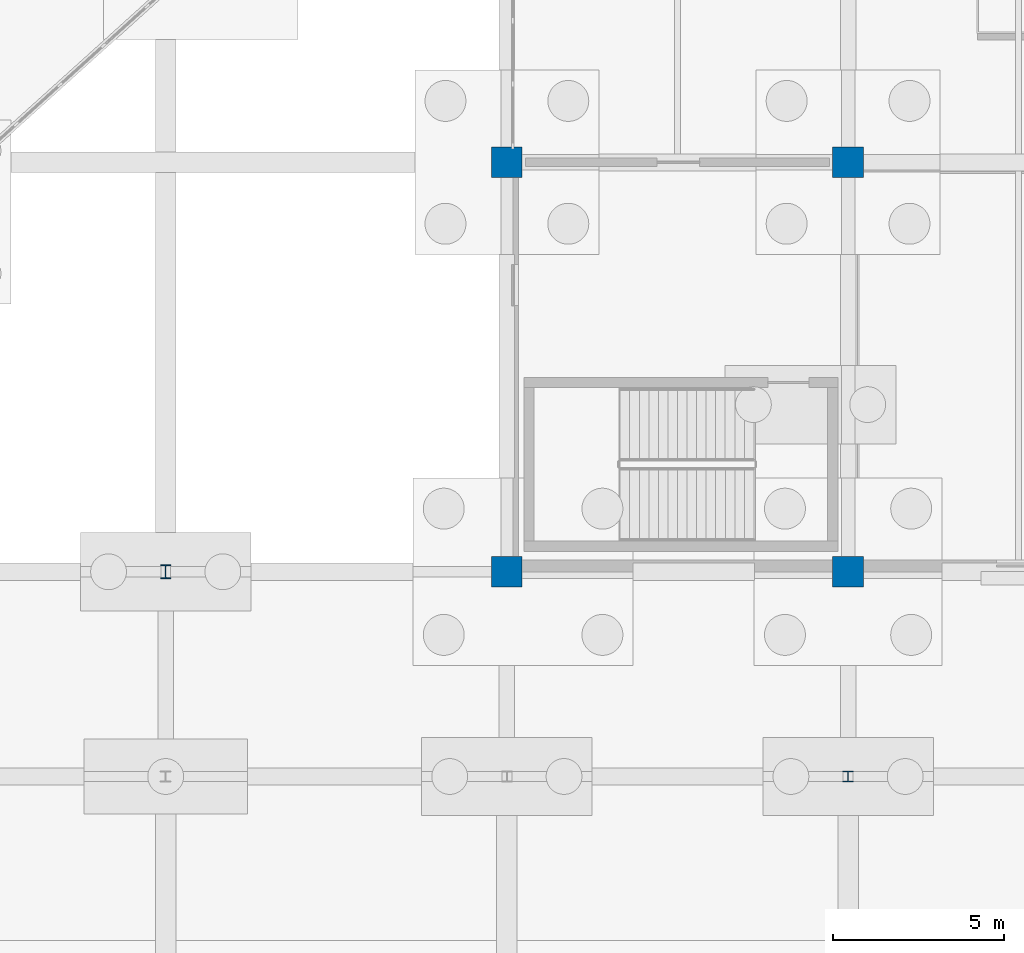
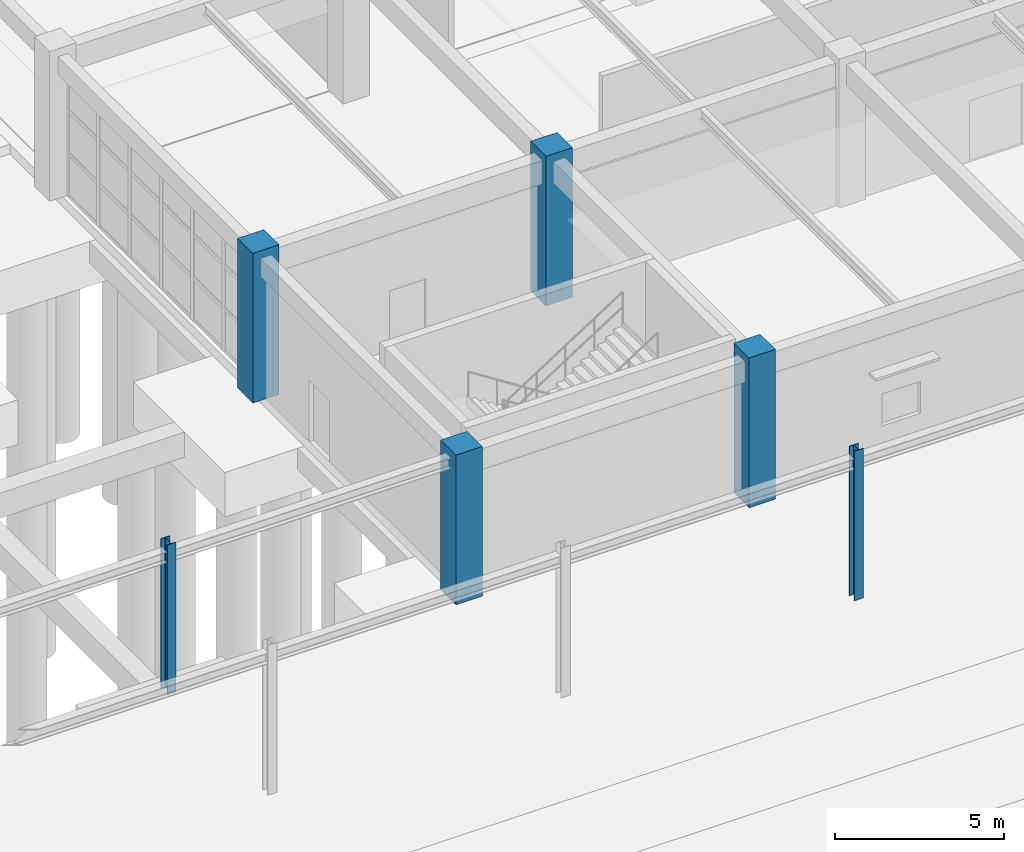
# One storey, part 16 of 99: 6 columns.
"""IFC4 building model written with IfcOpenShell, lengths in metres."""

from ifc_helpers import new_model, si_unit, direction, frame, origin, origin_2d, place, context, subcontext, project, spatial, rectangle, i_section, extrude, material, material_profile, profile_set, type_object, element, save


model = new_model("IFC4")

# Units and contexts
model_context = context("Model", 3, precision=1e-05, world=origin(), true_north=direction((0.0, 1.0)))
body_context = subcontext(model_context, "Body", "Model", "MODEL_VIEW")
ifc_project = project(units=[si_unit("LENGTHUNIT", "METRE"), si_unit("AREAUNIT", "SQUARE_METRE"), si_unit("VOLUMEUNIT", "CUBIC_METRE"), si_unit("PLANEANGLEUNIT", "RADIAN"), si_unit("MASSUNIT", "GRAM", prefix="KILO")], contexts=[model_context])

# Site, building, storey
site_placement = place(None, origin())
site = spatial("IfcSite", under=ifc_project, at=site_placement, CompositionType="ELEMENT")
building_placement = place(site_placement, origin())
building = spatial("IfcBuilding", under=site, at=building_placement, Name="Kivolera Central Railway Station", CompositionType="ELEMENT")
storey_placement = place(building_placement, origin())
storey = spatial("IfcBuildingStorey", under=building, at=storey_placement, Name="L00", CompositionType="ELEMENT", Elevation=0.0)

# Columns
ifc_material_1 = material(Name="Concrete C40/50", Category="concrete")
ifc_material_profile_1 = material_profile(ifc_material_1, rectangle(XDim=0.89990234375, YDim=0.89990234375, at=origin_2d()), Name="RC 900x900")
ifc_profile_set_1 = profile_set([ifc_material_profile_1], Name="Concrete C40/50")
column_type_1 = type_object("IfcColumnType", Name="COL-RC-900", PredefinedType="COLUMN", material=ifc_profile_set_1)
for number, where, z_axis, x_axis, name in (
    (1, (118.0, 54.0, 0.0), (0.0, 0.0, 1.0), (1.0, 0.0, 0.0), "L00 Wing Column 12-E"),
    (2, (118.0, 66.0, 0.0), (0.0, 0.0, 1.0), (1.0, 0.0, 0.0), "L00 Wing Column 12-F"),
    (3, (128.0, 54.0, 0.0), (0.0, 0.0, 1.0), (1.0, 0.0, 0.0), "L00 Wing Column 13-E"),
    (4, (128.0, 66.0, 0.0), (0.0, 0.0, 1.0), (1.0, 0.0, 0.0), "L00 Wing Column 13-F"),
):
    element("IfcColumn", number, at=place(storey_placement, frame(where, z_axis=z_axis, x_axis=x_axis)), inside=storey, type_object=column_type_1, Name=name, PredefinedType="COLUMN", context=body_context, shape_type="SweptSolid", body=[
        extrude(rectangle(XDim=0.89990234375, YDim=0.89990234375, at=origin_2d()), origin(), (0.0, 0.0, 1.0), 5.39990234375),
    ])
ifc_material_2 = material(Name="Steel S355", Category="steel")
ifc_material_profile_2 = material_profile(ifc_material_2, i_section(OverallWidth=0.300048828125, OverallDepth=0.39990234375, WebThickness=0.013427734375, FlangeThickness=0.02392578125, FilletRadius=0.027099609375, at=origin_2d()), Name="HEB 400")
ifc_profile_set_2 = profile_set([ifc_material_profile_2], Name="Steel S355")
column_type_2 = type_object("IfcColumnType", Name="COL-STL-HEB400", PredefinedType="COLUMN", material=ifc_profile_set_2)
column_1_placement = place(storey_placement, frame((108.0, 54.0, 0.0), z_axis=(0.0, 0.0, 1.0), x_axis=(1.0, 0.0, 0.0)))
element("IfcColumn", 5, at=column_1_placement, inside=storey, type_object=column_type_2, Name="L00 Train Shed Threshold Column 11-E", PredefinedType="COLUMN", context=body_context, shape_type="SweptSolid", body=[
    extrude(i_section(OverallWidth=0.300048828125, OverallDepth=0.39990234375, WebThickness=0.013427734375, FlangeThickness=0.02392578125, FilletRadius=0.027099609375, at=origin_2d()), origin(), (0.0, 0.0, 1.0), 5.39990234375),
])
ifc_material_profile_3 = material_profile(ifc_material_2, i_section(OverallWidth=0.30908203125, OverallDepth=0.320556640625, WebThickness=0.013916015625, FlangeThickness=0.021728515625, FilletRadius=0.01513671875, at=origin_2d()), Name="UC 305x305x137")
ifc_profile_set_3 = profile_set([ifc_material_profile_3], Name="Steel S355")
column_type_3 = type_object("IfcColumnType", Name="COL-STL-UC305", PredefinedType="COLUMN", material=ifc_profile_set_3)
column_2_placement = place(storey_placement, frame((128.0, 48.0, 0.0), z_axis=(0.0, 0.0, 1.0), x_axis=(1.0, 0.0, 0.0)))
element("IfcColumn", 6, at=column_2_placement, inside=storey, type_object=column_type_3, Name="L00 Train Shed Column 13-D", PredefinedType="COLUMN", context=body_context, shape_type="SweptSolid", body=[
    extrude(i_section(OverallWidth=0.30908203125, OverallDepth=0.320556640625, WebThickness=0.013916015625, FlangeThickness=0.021728515625, FilletRadius=0.01513671875, at=origin_2d()), origin(), (0.0, 0.0, 1.0), 5.39990234375),
])

save(model, "model.ifc")
